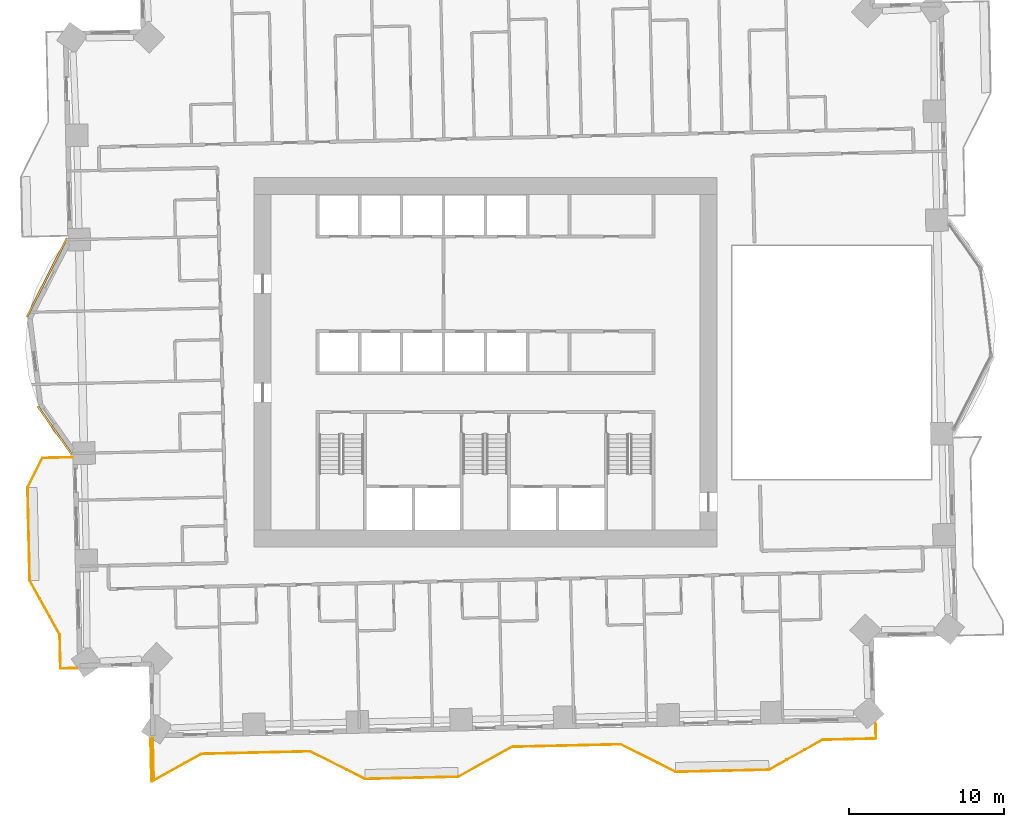
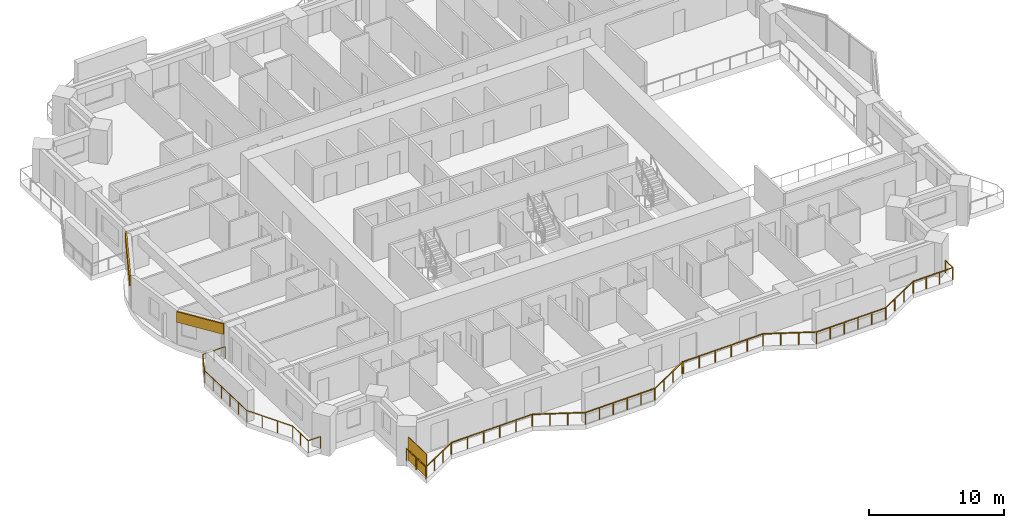
# One storey, part 14 of 17: 2 coverings, 2 railings, 1 shading device.
"""IFC4 building model written with IfcOpenShell, lengths in metres."""

from ifc_helpers import new_model, si_unit, direction, frame, frame_2d, origin, origin_2d, place, context, subcontext, project, spatial, rectangle, extrude, material, layer, layer_set, type_object, element, save


model = new_model("IFC4")

# Units and contexts
model_context = context("Model", 3, precision=1e-05, world=origin(), true_north=direction((0.0, 1.0)))
body_context = subcontext(model_context, "Body", "Model", "MODEL_VIEW")
ifc_project = project(units=[si_unit("LENGTHUNIT", "METRE"), si_unit("AREAUNIT", "SQUARE_METRE"), si_unit("VOLUMEUNIT", "CUBIC_METRE"), si_unit("PLANEANGLEUNIT", "RADIAN"), si_unit("MASSUNIT", "GRAM", prefix="KILO")], contexts=[model_context])

# Site, building, storey
site_placement = place(None, origin())
site = spatial("IfcSite", under=ifc_project, at=site_placement, CompositionType="ELEMENT")
building_placement = place(site_placement, origin())
building = spatial("IfcBuilding", under=site, at=building_placement, Name="Mangrove Gate Tower", CompositionType="ELEMENT")
storey_placement = place(building_placement, frame((0.0, 0.0, 86.5)))
storey = spatial("IfcBuildingStorey", under=building, at=storey_placement, Name="L21", CompositionType="ELEMENT", Elevation=86.5)

# Railings
ifc_material_1 = material(Name="Stainless steel grade 316 with laminated glass infill", Category="steel")
railing_type = type_object("IfcRailingType", Name="Balcony guard 1100", PredefinedType="GUARDRAIL", material=ifc_material_1)
railing_1_placement = place(storey_placement, frame((-26.60693359375, -6.116943359375, 0.0)))
element("IfcRailing", 1, at=railing_1_placement, inside=storey, type_object=railing_type, Name="GUARD L21 W2", PredefinedType="GUARDRAIL", context=body_context, shape_type="SweptSolid", body=[
    extrude(rectangle(XDim=0.048095703125, YDim=0.048095703125, at=origin_2d()), frame((0.0, 0.0, 1.076171875), z_axis=(-0.999737880615, -0.022894760625, 0.0), x_axis=(0.022894760625, -0.999737880615, 0.0)), (0.0, 0.0, 1.0), 1.91943359375),
    extrude(rectangle(XDim=0.048095703125, YDim=0.048095703125, at=origin_2d()), frame((-1.9189453125, -0.0439453125, 1.076171875), z_axis=(-0.44730572613, -0.894381119754, 0.0), x_axis=(0.894381119754, -0.44730572613, 0.0)), (0.0, 0.0, 1.0), 2.119873046875),
    extrude(rectangle(XDim=0.048095703125, YDim=0.048095703125, at=origin_2d()), frame((-2.8671875, -1.93994140625, 1.076171875), z_axis=(0.022702921152, -0.999742255469, 0.0), x_axis=(0.999742255469, 0.022702921152, 0.0)), (0.0, 0.0, 1.0), 6.00048828125),
    extrude(rectangle(XDim=0.048095703125, YDim=0.048095703125, at=origin_2d()), frame((-2.73095703125, -7.93896484375, 1.076171875), z_axis=(0.48726008209, -0.87325689943, 0.0), x_axis=(0.87325689943, 0.48726008209, 0.0)), (0.0, 0.0, 1.0), 3.958740234375),
    extrude(rectangle(XDim=0.048095703125, YDim=0.048095703125, at=origin_2d()), frame((-0.802001953125, -11.39599609375, 1.076171875), z_axis=(0.022754182687, -0.999741090068, 0.0), x_axis=(0.999741090068, 0.022754182687, 0.0)), (0.0, 0.0, 1.0), 2.199462890625),
    extrude(rectangle(XDim=0.048095703125, YDim=0.048095703125, at=origin_2d()), frame((-0.751953125, -13.594970703125, 1.076171875), z_axis=(0.999765634628, 0.021648921828, 0.0), x_axis=(-0.021648921828, 0.999765634628, 0.0)), (0.0, 0.0, 1.0), 1.06005859375),
    extrude(rectangle(XDim=0.0419921875, YDim=0.0419921875, at=origin_2d()), origin(), (0.0, 0.0, 1.0), 1.052001953125),
    extrude(rectangle(XDim=0.0419921875, YDim=0.0419921875, at=origin_2d()), frame((-0.95947265625, -0.02197265625, 0.0)), (0.0, 0.0, 1.0), 1.052001953125),
    extrude(rectangle(XDim=0.0419921875, YDim=0.0419921875, at=origin_2d()), frame((-1.9189453125, -0.0439453125, 0.0)), (0.0, 0.0, 1.0), 1.052001953125),
    extrude(rectangle(XDim=0.0419921875, YDim=0.0419921875, at=origin_2d()), frame((-2.39306640625, -0.991943359375, 0.0)), (0.0, 0.0, 1.0), 1.052001953125),
    extrude(rectangle(XDim=0.0419921875, YDim=0.0419921875, at=origin_2d()), frame((-2.8671875, -1.93994140625, 0.0)), (0.0, 0.0, 1.0), 1.052001953125),
    extrude(rectangle(XDim=0.0419921875, YDim=0.0419921875, at=origin_2d()), frame((-2.83984375, -3.1396484375, 0.0)), (0.0, 0.0, 1.0), 1.052001953125),
    extrude(rectangle(XDim=0.0419921875, YDim=0.0419921875, at=origin_2d()), frame((-2.812744140625, -4.339599609375, 0.0)), (0.0, 0.0, 1.0), 1.052001953125),
    extrude(rectangle(XDim=0.0419921875, YDim=0.0419921875, at=origin_2d()), frame((-2.785400390625, -5.539306640625, 0.0)), (0.0, 0.0, 1.0), 1.052001953125),
    extrude(rectangle(XDim=0.0419921875, YDim=0.0419921875, at=origin_2d()), frame((-2.75830078125, -6.7392578125, 0.0)), (0.0, 0.0, 1.0), 1.052001953125),
    extrude(rectangle(XDim=0.0419921875, YDim=0.0419921875, at=origin_2d()), frame((-2.73095703125, -7.93896484375, 0.0)), (0.0, 0.0, 1.0), 1.052001953125),
    extrude(rectangle(XDim=0.0419921875, YDim=0.0419921875, at=origin_2d()), frame((-2.087890625, -9.09130859375, 0.0)), (0.0, 0.0, 1.0), 1.052001953125),
    extrude(rectangle(XDim=0.0419921875, YDim=0.0419921875, at=origin_2d()), frame((-1.445068359375, -10.24365234375, 0.0)), (0.0, 0.0, 1.0), 1.052001953125),
    extrude(rectangle(XDim=0.0419921875, YDim=0.0419921875, at=origin_2d()), frame((-0.802001953125, -11.39599609375, 0.0)), (0.0, 0.0, 1.0), 1.052001953125),
    extrude(rectangle(XDim=0.0419921875, YDim=0.0419921875, at=origin_2d()), frame((-0.77685546875, -12.49560546875, 0.0)), (0.0, 0.0, 1.0), 1.052001953125),
    extrude(rectangle(XDim=0.0419921875, YDim=0.0419921875, at=origin_2d()), frame((-0.751953125, -13.594970703125, 0.0)), (0.0, 0.0, 1.0), 1.052001953125),
    extrude(rectangle(XDim=0.0419921875, YDim=0.0419921875, at=origin_2d()), frame((0.307861328125, -13.572021484375, 0.0)), (0.0, 0.0, 1.0), 1.052001953125),
])
railing_2_placement = place(storey_placement, frame((-21.554931640625, -24.221923828125, 0.0)))
element("IfcRailing", 2, at=railing_2_placement, inside=storey, type_object=railing_type, Name="GUARD L21 S1", PredefinedType="GUARDRAIL", context=body_context, shape_type="SweptSolid", body=[
    extrude(rectangle(XDim=0.048095703125, YDim=0.048095703125, at=origin_2d()), frame((0.0, 0.0, 1.076171875), z_axis=(0.022733414695, -0.999741562533, 0.0), x_axis=(0.999741562533, 0.022733414695, 0.0)), (0.0, 0.0, 1.0), 2.770751953125),
    extrude(rectangle(XDim=0.048095703125, YDim=0.048095703125, at=origin_2d()), frame((0.06298828125, -2.77001953125, 1.076171875), z_axis=(0.873186479465, 0.487386265789, 0.0), x_axis=(-0.487386265789, 0.873186479465, 0.0)), (0.0, 0.0, 1.0), 3.66015625),
    extrude(rectangle(XDim=0.048095703125, YDim=0.048095703125, at=origin_2d()), frame((3.259033203125, -0.986083984375, 1.076171875), z_axis=(0.999742177561, 0.022706351659, 0.0), x_axis=(-0.022706351659, 0.999742177561, 0.0)), (0.0, 0.0, 1.0), 6.99951171875),
    extrude(rectangle(XDim=0.048095703125, YDim=0.048095703125, at=origin_2d()), frame((10.2568359375, -0.8271484375, 1.076171875), z_axis=(0.894377854182, -0.447312255532, 0.0), x_axis=(0.447312255532, 0.894377854182, 0.0)), (0.0, 0.0, 1.0), 3.959228515625),
    extrude(rectangle(XDim=0.048095703125, YDim=0.048095703125, at=origin_2d()), frame((13.7978515625, -2.59814453125, 1.076171875), z_axis=(0.999739477659, 0.022824916448, 0.0), x_axis=(-0.022824916448, 0.999739477659, 0.0)), (0.0, 0.0, 1.0), 6.00048828125),
    extrude(rectangle(XDim=0.048095703125, YDim=0.048095703125, at=origin_2d()), frame((19.796875, -2.461181640625, 1.076171875), z_axis=(0.873335618354, 0.48711897696, 0.0), x_axis=(-0.48711897696, 0.873335618354, 0.0)), (0.0, 0.0, 1.0), 3.95849609375),
    extrude(rectangle(XDim=0.048095703125, YDim=0.048095703125, at=origin_2d()), frame((23.25390625, -0.532958984375, 1.076171875), z_axis=(0.999571958508, 0.029255764639, 0.0), x_axis=(-0.029255764639, 0.999571958508, 0.0)), (0.0, 0.0, 1.0), 0.10009765625),
    extrude(rectangle(XDim=0.048095703125, YDim=0.048095703125, at=origin_2d()), frame((23.35400390625, -0.530029296875, 1.076171875), z_axis=(0.999744350308, 0.022610484882, 0.0), x_axis=(-0.022610484882, 0.999744350308, 0.0)), (0.0, 0.0, 1.0), 6.899658203125),
    extrude(rectangle(XDim=0.048095703125, YDim=0.048095703125, at=origin_2d()), frame((30.251953125, -0.3740234375, 1.076171875), z_axis=(0.894476522376, -0.447114919141, 0.0), x_axis=(0.447114919141, 0.894476522376, 0.0)), (0.0, 0.0, 1.0), 3.958740234375),
    extrude(rectangle(XDim=0.048095703125, YDim=0.048095703125, at=origin_2d()), frame((33.79296875, -2.14404296875, 1.076171875), z_axis=(0.999743178102, 0.022662255828, 0.0), x_axis=(-0.022662255828, 0.999743178102, 0.0)), (0.0, 0.0, 1.0), 6.00048828125),
    extrude(rectangle(XDim=0.048095703125, YDim=0.048095703125, at=origin_2d()), frame((39.7919921875, -2.008056640625, 1.076171875), z_axis=(0.87325689943, 0.48726008209, 0.0), x_axis=(-0.48726008209, 0.87325689943, 0.0)), (0.0, 0.0, 1.0), 3.958740234375),
    extrude(rectangle(XDim=0.048095703125, YDim=0.048095703125, at=origin_2d()), frame((43.2490234375, -0.0791015625, 1.076171875), z_axis=(0.999741431846, 0.022739161148, 0.0), x_axis=(-0.022739161148, 0.999741431846, 0.0)), (0.0, 0.0, 1.0), 3.435791015625),
    extrude(rectangle(XDim=0.048095703125, YDim=0.048095703125, at=origin_2d()), frame((46.683837890625, -0.0009765625, 1.076171875), z_axis=(-0.02256969285, 0.999745272039, 0.0), x_axis=(-0.999745272039, -0.02256969285, 0.0)), (0.0, 0.0, 1.0), 1.06005859375),
    extrude(rectangle(XDim=0.0419921875, YDim=0.0419921875, at=origin_2d()), origin(), (0.0, 0.0, 1.0), 1.052001953125),
    extrude(rectangle(XDim=0.0419921875, YDim=0.0419921875, at=origin_2d()), frame((0.031494140625, -1.385009765625, 0.0)), (0.0, 0.0, 1.0), 1.052001953125),
    extrude(rectangle(XDim=0.0419921875, YDim=0.0419921875, at=origin_2d()), frame((0.06298828125, -2.77001953125, 0.0)), (0.0, 0.0, 1.0), 1.052001953125),
    extrude(rectangle(XDim=0.0419921875, YDim=0.0419921875, at=origin_2d()), frame((1.12841796875, -2.17529296875, 0.0)), (0.0, 0.0, 1.0), 1.052001953125),
    extrude(rectangle(XDim=0.0419921875, YDim=0.0419921875, at=origin_2d()), frame((2.193603515625, -1.580810546875, 0.0)), (0.0, 0.0, 1.0), 1.052001953125),
    extrude(rectangle(XDim=0.0419921875, YDim=0.0419921875, at=origin_2d()), frame((3.259033203125, -0.986083984375, 0.0)), (0.0, 0.0, 1.0), 1.052001953125),
    extrude(rectangle(XDim=0.0419921875, YDim=0.0419921875, at=origin_2d()), frame((4.65869140625, -0.954345703125, 0.0)), (0.0, 0.0, 1.0), 1.052001953125),
    extrude(rectangle(XDim=0.0419921875, YDim=0.0419921875, at=origin_2d()), frame((6.05810546875, -0.922607421875, 0.0)), (0.0, 0.0, 1.0), 1.052001953125),
    extrude(rectangle(XDim=0.0419921875, YDim=0.0419921875, at=origin_2d()), frame((7.457763671875, -0.890625, 0.0)), (0.0, 0.0, 1.0), 1.052001953125),
    extrude(rectangle(XDim=0.0419921875, YDim=0.0419921875, at=origin_2d()), frame((8.857177734375, -0.85888671875, 0.0)), (0.0, 0.0, 1.0), 1.052001953125),
    extrude(rectangle(XDim=0.0419921875, YDim=0.0419921875, at=origin_2d()), frame((10.2568359375, -0.8271484375, 0.0)), (0.0, 0.0, 1.0), 1.052001953125),
    extrude(rectangle(XDim=0.0419921875, YDim=0.0419921875, at=origin_2d()), frame((11.437255859375, -1.41748046875, 0.0)), (0.0, 0.0, 1.0), 1.052001953125),
    extrude(rectangle(XDim=0.0419921875, YDim=0.0419921875, at=origin_2d()), frame((12.617431640625, -2.0078125, 0.0)), (0.0, 0.0, 1.0), 1.052001953125),
    extrude(rectangle(XDim=0.0419921875, YDim=0.0419921875, at=origin_2d()), frame((13.7978515625, -2.59814453125, 0.0)), (0.0, 0.0, 1.0), 1.052001953125),
    extrude(rectangle(XDim=0.0419921875, YDim=0.0419921875, at=origin_2d()), frame((14.99755859375, -2.57080078125, 0.0)), (0.0, 0.0, 1.0), 1.052001953125),
    extrude(rectangle(XDim=0.0419921875, YDim=0.0419921875, at=origin_2d()), frame((16.197509765625, -2.54345703125, 0.0)), (0.0, 0.0, 1.0), 1.052001953125),
    extrude(rectangle(XDim=0.0419921875, YDim=0.0419921875, at=origin_2d()), frame((17.397216796875, -2.515869140625, 0.0)), (0.0, 0.0, 1.0), 1.052001953125),
    extrude(rectangle(XDim=0.0419921875, YDim=0.0419921875, at=origin_2d()), frame((18.59716796875, -2.488525390625, 0.0)), (0.0, 0.0, 1.0), 1.052001953125),
    extrude(rectangle(XDim=0.0419921875, YDim=0.0419921875, at=origin_2d()), frame((19.796875, -2.461181640625, 0.0)), (0.0, 0.0, 1.0), 1.052001953125),
    extrude(rectangle(XDim=0.0419921875, YDim=0.0419921875, at=origin_2d()), frame((20.94921875, -1.818359375, 0.0)), (0.0, 0.0, 1.0), 1.052001953125),
    extrude(rectangle(XDim=0.0419921875, YDim=0.0419921875, at=origin_2d()), frame((22.1015625, -1.17578125, 0.0)), (0.0, 0.0, 1.0), 1.052001953125),
    extrude(rectangle(XDim=0.0419921875, YDim=0.0419921875, at=origin_2d()), frame((23.25390625, -0.532958984375, 0.0)), (0.0, 0.0, 1.0), 1.052001953125),
    extrude(rectangle(XDim=0.0419921875, YDim=0.0419921875, at=origin_2d()), frame((23.35400390625, -0.530029296875, 0.0)), (0.0, 0.0, 1.0), 1.052001953125),
    extrude(rectangle(XDim=0.0419921875, YDim=0.0419921875, at=origin_2d()), frame((24.733642578125, -0.498779296875, 0.0)), (0.0, 0.0, 1.0), 1.052001953125),
    extrude(rectangle(XDim=0.0419921875, YDim=0.0419921875, at=origin_2d()), frame((26.11328125, -0.467529296875, 0.0)), (0.0, 0.0, 1.0), 1.052001953125),
    extrude(rectangle(XDim=0.0419921875, YDim=0.0419921875, at=origin_2d()), frame((27.49267578125, -0.4365234375, 0.0)), (0.0, 0.0, 1.0), 1.052001953125),
    extrude(rectangle(XDim=0.0419921875, YDim=0.0419921875, at=origin_2d()), frame((28.872314453125, -0.4052734375, 0.0)), (0.0, 0.0, 1.0), 1.052001953125),
    extrude(rectangle(XDim=0.0419921875, YDim=0.0419921875, at=origin_2d()), frame((30.251953125, -0.3740234375, 0.0)), (0.0, 0.0, 1.0), 1.052001953125),
    extrude(rectangle(XDim=0.0419921875, YDim=0.0419921875, at=origin_2d()), frame((31.432373046875, -0.964111328125, 0.0)), (0.0, 0.0, 1.0), 1.052001953125),
    extrude(rectangle(XDim=0.0419921875, YDim=0.0419921875, at=origin_2d()), frame((32.612548828125, -1.553955078125, 0.0)), (0.0, 0.0, 1.0), 1.052001953125),
    extrude(rectangle(XDim=0.0419921875, YDim=0.0419921875, at=origin_2d()), frame((33.79296875, -2.14404296875, 0.0)), (0.0, 0.0, 1.0), 1.052001953125),
    extrude(rectangle(XDim=0.0419921875, YDim=0.0419921875, at=origin_2d()), frame((34.99267578125, -2.116943359375, 0.0)), (0.0, 0.0, 1.0), 1.052001953125),
    extrude(rectangle(XDim=0.0419921875, YDim=0.0419921875, at=origin_2d()), frame((36.192626953125, -2.089599609375, 0.0)), (0.0, 0.0, 1.0), 1.052001953125),
    extrude(rectangle(XDim=0.0419921875, YDim=0.0419921875, at=origin_2d()), frame((37.392333984375, -2.0625, 0.0)), (0.0, 0.0, 1.0), 1.052001953125),
    extrude(rectangle(XDim=0.0419921875, YDim=0.0419921875, at=origin_2d()), frame((38.59228515625, -2.03515625, 0.0)), (0.0, 0.0, 1.0), 1.052001953125),
    extrude(rectangle(XDim=0.0419921875, YDim=0.0419921875, at=origin_2d()), frame((39.7919921875, -2.008056640625, 0.0)), (0.0, 0.0, 1.0), 1.052001953125),
    extrude(rectangle(XDim=0.0419921875, YDim=0.0419921875, at=origin_2d()), frame((40.9443359375, -1.364990234375, 0.0)), (0.0, 0.0, 1.0), 1.052001953125),
    extrude(rectangle(XDim=0.0419921875, YDim=0.0419921875, at=origin_2d()), frame((42.0966796875, -0.72216796875, 0.0)), (0.0, 0.0, 1.0), 1.052001953125),
    extrude(rectangle(XDim=0.0419921875, YDim=0.0419921875, at=origin_2d()), frame((43.2490234375, -0.0791015625, 0.0)), (0.0, 0.0, 1.0), 1.052001953125),
    extrude(rectangle(XDim=0.0419921875, YDim=0.0419921875, at=origin_2d()), frame((44.39404296875, -0.052978515625, 0.0)), (0.0, 0.0, 1.0), 1.052001953125),
    extrude(rectangle(XDim=0.0419921875, YDim=0.0419921875, at=origin_2d()), frame((45.538818359375, -0.027099609375, 0.0)), (0.0, 0.0, 1.0), 1.052001953125),
    extrude(rectangle(XDim=0.0419921875, YDim=0.0419921875, at=origin_2d()), frame((46.683837890625, -0.0009765625, 0.0)), (0.0, 0.0, 1.0), 1.052001953125),
    extrude(rectangle(XDim=0.0419921875, YDim=0.0419921875, at=origin_2d()), frame((46.659912109375, 1.058837890625, 0.0)), (0.0, 0.0, 1.0), 1.052001953125),
])

# Shading device
ifc_material_2 = material(Name="Timber slat screen in teak", Category="wood")
shading_device_type = type_object("IfcShadingDeviceType", Name="Balcony screen 2100", PredefinedType="USERDEFINED", material=ifc_material_2)
shading_device_placement = place(storey_placement, frame((-21.385009765625, -25.52392578125, 0.0), z_axis=(0.0, 0.0, 1.0), x_axis=(0.022809475005, -0.999739830081, 0.0)))
element("IfcShadingDevice", 3, at=shading_device_placement, inside=storey, type_object=shading_device_type, Name="SCREEN L21 S0", ObjectType="SCREEN", PredefinedType="USERDEFINED", context=body_context, shape_type="SweptSolid", body=[
    extrude(rectangle(XDim=2.65087890625, YDim=0.050048828125, at=origin_2d()), origin(), (0.0, 0.0, 1.0), 2.10009765625),
])

# Coverings
ifc_material_3 = material(Name="Limestone", Category="masonry")
ifc_layer_1 = layer(ifc_material_3, 0.0400390625, Name="Limestone cladding")
ifc_material_4 = material(Name="Stainless steel anchors and cavity", Category="steel")
ifc_layer_2 = layer(ifc_material_4, 0.080078125, Name="Fixing cavity")
ifc_layer_set = layer_set([ifc_layer_1, ifc_layer_2], Name="Joint fascia cladding 120")
covering_type = type_object("IfcCoveringType", Name="Joint fascia cladding 120", PredefinedType="CLADDING", material=ifc_layer_set)
covering_1_placement = place(storey_placement, frame((-26.937255859375, 8.00537109375, 2.10009765625), z_axis=(0.0, 0.0, 1.0), x_axis=(-0.452477241859, -0.891775950337, 0.0)))
element("IfcCovering", 4, at=covering_1_placement, inside=storey, type_object=covering_type, Name="STONE FASCIA L21 W9.L1", PredefinedType="CLADDING", context=body_context, shape_type="SweptSolid", body=[
    extrude(rectangle(XDim=5.705810546875, YDim=0.1201171875, at=frame_2d((2.85302734375, 0.0))), origin(), (0.0, 0.0, 1.0), 0.949951171875),
])
covering_2_placement = place(storey_placement, frame((-28.822998046875, -2.8310546875, 2.10009765625), z_axis=(0.0, 0.0, 1.0), x_axis=(0.578168098379, -0.815917673553, 0.0)))
element("IfcCovering", 5, at=covering_2_placement, inside=storey, type_object=covering_type, Name="STONE FASCIA L21 W9.L2", PredefinedType="CLADDING", context=body_context, shape_type="SweptSolid", body=[
    extrude(rectangle(XDim=3.819091796875, YDim=0.1201171875, at=frame_2d((1.90966796875, 0.0))), origin(), (0.0, 0.0, 1.0), 0.949951171875),
])

save(model, "model.ifc")
